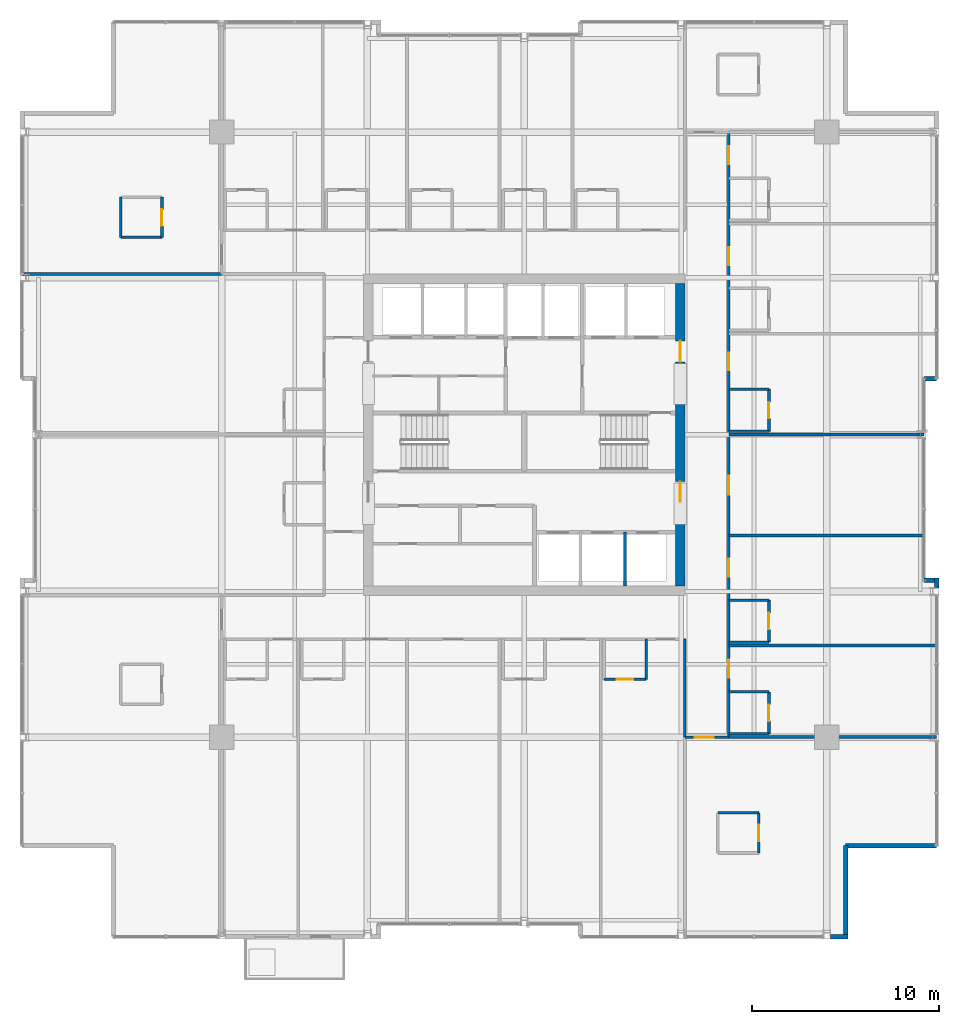
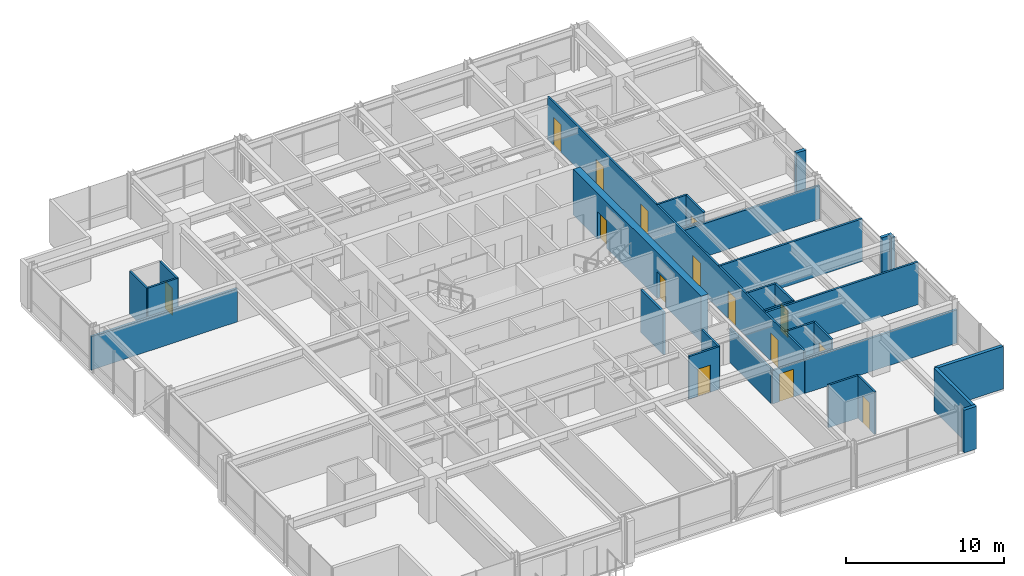
# One storey, part 28 of 33: 32 walls, 15 doors, 15 openings.
"""IFC4 building model written with IfcOpenShell, lengths in metres."""

import ifcopenshell
import ifcopenshell.guid

model = None  # the IFC model being written
_history = None  # IfcOwnerHistory: only IFC2X3 demands one
_inside = {}  # id of a spatial element -> (the spatial element, [elements in it])
_under = {}  # id of a project, library or spatial element -> (it, [spatial elements below it])
_declared = {}  # id of a project -> (the project, [libraries it declares])
_typed = {}  # id of a type object -> (the type object, [elements of that type])
_made_of = {}  # id of a material, layer set ... -> (it, [elements and type objects made of it])


def new_model(schema):
    """Start an empty IFC model of exactly this schema.

    Asked for "IFC4X3", IfcOpenShell would pick the latest addendum, in which some entities
    have other attributes; the version numbers below select the first issue.
    IFC2X3 requires an IfcOwnerHistory on every rooted entity: one is made here for all.
    """
    global model, _history
    if schema == "IFC4X3":
        model = ifcopenshell.file(schema_version=(4, 3, 0, 0))
    else:
        model = ifcopenshell.file(schema=schema)
    _inside.clear()
    _under.clear()
    _declared.clear()
    _typed.clear()
    _made_of.clear()
    _history = None
    if model.schema == "IFC2X3":
        org = make("IfcOrganization", Name="unknown")
        user = make(
            "IfcPersonAndOrganization",
            ThePerson=make("IfcPerson", FamilyName="unknown"),
            TheOrganization=org,
        )
        app = make(
            "IfcApplication",
            ApplicationDeveloper=org,
            Version="unknown",
            ApplicationFullName="unknown",
            ApplicationIdentifier="unknown",
        )
        _history = make(
            "IfcOwnerHistory",
            OwningUser=user,
            OwningApplication=app,
            ChangeAction="ADDED",
            CreationDate=0,
        )
    return model


def make(cls, **values):
    """One entity of the class cls with the attributes given. An attribute that is None is left unset."""
    return model.create_entity(
        cls, **{name: value for name, value in values.items() if value is not None}
    )


def rooted(cls, **values):
    """An entity with a GlobalId (a new one), such as an element, a storey or a relation."""
    return make(cls, GlobalId=ifcopenshell.guid.new(), OwnerHistory=_history, **values)


def si_unit(unit_type, name, prefix=None):
    """IfcSIUnit, for example si_unit("LENGTHUNIT", "METRE", prefix="MILLI")."""
    return make("IfcSIUnit", UnitType=unit_type, Prefix=prefix, Name=name)


def assignment(units):
    """IfcUnitAssignment: the units of a project."""
    return None if units is None else make("IfcUnitAssignment", Units=units)


def point(xyz):
    """IfcCartesianPoint."""
    return None if xyz is None else make("IfcCartesianPoint", Coordinates=xyz)


def direction(xyz):
    """IfcDirection."""
    return None if xyz is None else make("IfcDirection", DirectionRatios=xyz)


def frame(location, z_axis=None, x_axis=None):
    """IfcAxis2Placement3D, a coordinate frame: its origin and axes. An axis left out is left unset."""
    return make(
        "IfcAxis2Placement3D",
        Location=point(location),
        Axis=direction(z_axis),
        RefDirection=direction(x_axis),
    )


def frame_2d(location, x_axis=None):
    """IfcAxis2Placement2D, a coordinate frame in the plane: its origin and x axis."""
    return make(
        "IfcAxis2Placement2D", Location=point(location), RefDirection=direction(x_axis)
    )


def origin():
    """The frame at (0, 0, 0) with its axes left unset."""
    return frame((0.0, 0.0, 0.0))


def place(relative_to, where):
    """IfcLocalPlacement: puts the frame where relative to a parent placement (None: the world)."""
    return make(
        "IfcLocalPlacement", PlacementRelTo=relative_to, RelativePlacement=where
    )


def context(
    kind, dimensions, precision=None, world=None, true_north=None, identifier=None
):
    """IfcGeometricRepresentationContext, for example the 3D "Model" context."""
    return make(
        "IfcGeometricRepresentationContext",
        ContextIdentifier=identifier,
        ContextType=kind,
        CoordinateSpaceDimension=dimensions,
        Precision=precision,
        WorldCoordinateSystem=world,
        TrueNorth=true_north,
    )


def subcontext(parent, identifier, kind, view, scale=None):
    """IfcGeometricRepresentationSubContext, for example "Body" below "Model"."""
    return make(
        "IfcGeometricRepresentationSubContext",
        ContextIdentifier=identifier,
        ContextType=kind,
        ParentContext=parent,
        TargetScale=scale,
        TargetView=view,
    )


def project(units=None, contexts=None):
    """IfcProject with its units and contexts."""
    return rooted(
        "IfcProject",
        Name="project",
        RepresentationContexts=contexts,
        UnitsInContext=assignment(units),
    )


def spatial(cls, under=None, at=None, **own):
    """A site, building, storey or space (cls), placed at a placement, below another one or the project."""
    s = rooted(cls, ObjectPlacement=at, **own)
    if under is not None:
        _under.setdefault(under.id(), (under, []))[1].append(s)
    return s


def profile(cls, at=None, kind="AREA", **sizes):
    """A parametric profile (cls). Its sizes go by their IFC names, for example OverallWidth=200.0."""
    return make(cls, ProfileType=kind, Position=at, **sizes)


def rectangle(**sizes):
    """IfcRectangleProfileDef."""
    return profile("IfcRectangleProfileDef", **sizes)


def extrude(swept, where, along, depth):
    """IfcExtrudedAreaSolid: the profile swept, set in the frame where, extruded along a direction by depth."""
    return make(
        "IfcExtrudedAreaSolid",
        SweptArea=swept,
        Position=where,
        ExtrudedDirection=direction(along),
        Depth=depth,
    )


def shape(context_of_items, identifier, shape_type, items):
    """IfcShapeRepresentation: the items that make up one representation, for example the "Body"."""
    return make(
        "IfcShapeRepresentation",
        ContextOfItems=context_of_items,
        RepresentationIdentifier=identifier,
        RepresentationType=shape_type,
        Items=items,
    )


def material(Name=None, Category=None):
    """IfcMaterial."""
    return make("IfcMaterial", Name=Name, Category=Category)


def layer(
    of_material, thickness, ventilated=None, Name=None, Category=None, Priority=None
):
    """IfcMaterialLayer: one layer of a wall or slab, of a material (None: an air gap)."""
    return make(
        "IfcMaterialLayer",
        Material=of_material,
        LayerThickness=thickness,
        IsVentilated=ventilated,
        Name=Name,
        Category=Category,
        Priority=Priority,
    )


def layer_set(layers, Name=None):
    """IfcMaterialLayerSet."""
    return make("IfcMaterialLayerSet", MaterialLayers=layers, LayerSetName=Name)


def made_of(thing, what):
    """Note that an element or type object is made of a material, layer set ...; save() writes the relation."""
    if what is not None:
        _made_of.setdefault(what.id(), (what, []))[1].append(thing)
    return thing


def type_object(cls, material=None, **own):
    """A type object (cls), such as IfcWallType, which elements share."""
    return made_of(rooted(cls, **own), material)


def element(
    cls,
    number,
    at=None,
    inside=None,
    cuts=None,
    type_object=None,
    material=None,
    context=None,
    identifier="Body",
    shape_type=None,
    held_by="IfcProductDefinitionShape",
    body=None,
    shapes=None,
    **own,
):
    """One element of the class cls, such as IfcWall. Its Tag is "e" and its number.

    at: its placement. inside: the storey or other place that contains it. cuts: it is an
    opening in that element (IfcRelVoidsElement). A single representation is given by context,
    identifier, shape_type and body (its items); several are given by shapes. held_by: the class
    of the entity that holds the representations. save() writes the other relations.
    """
    e = rooted(cls, Tag="e%d" % number, ObjectPlacement=at, **own)
    if body is not None:
        shapes = [shape(context, identifier, shape_type, body)]
    if shapes is not None:
        e.Representation = make(held_by, Representations=shapes)
    if inside is not None:
        _inside.setdefault(inside.id(), (inside, []))[1].append(e)
    if cuts is not None:
        rooted(
            "IfcRelVoidsElement", RelatingBuildingElement=cuts, RelatedOpeningElement=e
        )
    if type_object is not None:
        _typed.setdefault(type_object.id(), (type_object, []))[1].append(e)
    return made_of(e, material)


def fill(opening, filler):
    """IfcRelFillsElement: the door or window that sits in an opening."""
    return rooted(
        "IfcRelFillsElement",
        RelatingOpeningElement=opening,
        RelatedBuildingElement=filler,
    )


def aggregate(whole, parts):
    """IfcRelAggregates: a whole, such as a stair, and the parts it consists of."""
    return rooted("IfcRelAggregates", RelatingObject=whole, RelatedObjects=parts)


def save(model, path):
    """Write the relations noted so far, then the file.

    IfcRelAggregates (storeys below a building ...), IfcRelContainedInSpatialStructure (elements
    in a storey), IfcRelDefinesByType, IfcRelAssociatesMaterial and IfcRelDeclares: one each for
    every whole, place, type object, material and project.
    """
    for whole, parts in _under.values():
        aggregate(whole, parts)
    for where, things in _inside.values():
        rooted(
            "IfcRelContainedInSpatialStructure",
            RelatedElements=things,
            RelatingStructure=where,
        )
    for kind, things in _typed.values():
        rooted("IfcRelDefinesByType", RelatedObjects=things, RelatingType=kind)
    for what, things in _made_of.values():
        rooted("IfcRelAssociatesMaterial", RelatedObjects=things, RelatingMaterial=what)
    for by, libraries in _declared.values():
        rooted("IfcRelDeclares", RelatingContext=by, RelatedDefinitions=libraries)
    model.write(path)


model = new_model("IFC4")

# Units and contexts
model_context = context("Model", 3, precision=1e-05, world=origin(), true_north=direction((0.0, 1.0)))
body_context = subcontext(model_context, "Body", "Model", "MODEL_VIEW")
ifc_project = project(units=[si_unit("LENGTHUNIT", "METRE"), si_unit("AREAUNIT", "SQUARE_METRE"), si_unit("VOLUMEUNIT", "CUBIC_METRE"), si_unit("PLANEANGLEUNIT", "RADIAN"), si_unit("MASSUNIT", "GRAM", prefix="KILO")], contexts=[model_context])

# Site, building, storey
site_placement = place(None, origin())
site = spatial("IfcSite", under=ifc_project, at=site_placement, CompositionType="ELEMENT")
building_placement = place(site_placement, origin())
building = spatial("IfcBuilding", under=site, at=building_placement, Name="Drelvath Grand Hotel", CompositionType="ELEMENT")
storey_placement = place(building_placement, frame((0.0, 0.0, 153.949951171875)))
storey = spatial("IfcBuildingStorey", under=building, at=storey_placement, Name="L39", CompositionType="ELEMENT", Elevation=153.949951171875)

# Walls
ifc_material_1 = material(Name="Gypsum Fireboard Partition")
ifc_layer_1 = layer(ifc_material_1, 0.1650390625)
ifc_layer_set_1 = layer_set([ifc_layer_1], Name="Gypsum Fireboard Partition")
wall_type_1 = type_object("IfcWallType", Name="Core Shaft Partition 165", PredefinedType="PARTITIONING", material=ifc_layer_set_1)
wall_1_placement = place(storey_placement, frame((5.39990234375, 18.89990234375, 0.0), z_axis=(0.0, 0.0, 1.0), x_axis=(0.0, 1.0, 0.0)))
element("IfcWall", 1, at=wall_1_placement, inside=storey, type_object=wall_type_1, Name="L39 Lift PE-5/6 Divider", PredefinedType="PARTITIONING", context=body_context, shape_type="SweptSolid", body=[
    extrude(rectangle(XDim=2.880126953125, YDim=0.1650390625, at=frame_2d((1.43994140625, 0.0))), origin(), (0.0, 0.0, 1.0), 3.2900390625),
])
ifc_layer_2 = layer(ifc_material_1, 0.135009765625)
ifc_layer_set_2 = layer_set([ifc_layer_2], Name="Gypsum Fireboard Partition")
wall_type_2 = type_object("IfcWallType", Name="Corridor Fire Barrier Wall 135", PredefinedType="PARTITIONING", material=ifc_layer_set_2)
wall_2_placement = place(storey_placement, frame((8.60009765625, 10.800048828125, 0.0), z_axis=(0.0, 0.0, 1.0), x_axis=(0.0, 1.0, 0.0)))
element("IfcWall", 2, at=wall_2_placement, inside=storey, type_object=wall_type_2, Name="L39 East Spine South Inner Wall", PredefinedType="PARTITIONING", context=body_context, shape_type="SweptSolid", body=[
    extrude(rectangle(XDim=5.25, YDim=0.135009765625, at=frame_2d((2.625, 0.0))), origin(), (0.0, 0.0, 1.0), 2.66748046875),
])

# Wall, openings, doors
wall_3_placement = place(storey_placement, frame((10.949951171875, 10.800048828125, 0.0), z_axis=(0.0, 0.0, 1.0), x_axis=(0.0, 1.0, 0.0)))
wall_3 = element("IfcWall", 3, at=wall_3_placement, inside=storey, type_object=wall_type_2, Name="L39 East Spine Corridor Wall", PredefinedType="PARTITIONING", context=body_context, shape_type="SweptSolid", body=[
    extrude(rectangle(XDim=32.39990234375, YDim=0.135009765625, at=frame_2d((16.199951171875, 0.0))), origin(), (0.0, 0.0, 1.0), 3.2900390625),
])
opening_1_placement = place(wall_3_placement, frame((3.189453125, 0.0, 0.0)))
opening_1 = element("IfcOpeningElement", 4, at=opening_1_placement, cuts=wall_3, Name="Opening D-T3G1-054", PredefinedType="OPENING", context=body_context, shape_type="SweptSolid", body=[
    extrude(rectangle(XDim=0.9599609375, YDim=2.14990234375, at=frame_2d((0.47998046875, 1.074951171875))), frame((0.0, 0.077392578125, 0.0), z_axis=(0.0, -1.0, 0.0), x_axis=(1.0, 0.0, 0.0)), (0.0, 0.0, 1.0), 0.155029296875),
])
opening_2_placement = place(wall_3_placement, frame((8.589599609375, 0.0, 0.0)))
opening_2 = element("IfcOpeningElement", 5, at=opening_2_placement, cuts=wall_3, Name="Opening D-T3G1-056", PredefinedType="OPENING", context=body_context, shape_type="SweptSolid", body=[
    extrude(rectangle(XDim=0.9599609375, YDim=2.14990234375, at=frame_2d((0.47998046875, 1.074951171875))), frame((0.0, 0.077392578125, 0.0), z_axis=(0.0, -1.0, 0.0), x_axis=(1.0, 0.0, 0.0)), (0.0, 0.0, 1.0), 0.155029296875),
])
opening_3_placement = place(wall_3_placement, frame((12.989990234375, 0.0, 0.0)))
opening_3 = element("IfcOpeningElement", 6, at=opening_3_placement, cuts=wall_3, Name="Opening D-T3G1-057", PredefinedType="OPENING", context=body_context, shape_type="SweptSolid", body=[
    extrude(rectangle(XDim=1.02001953125, YDim=2.14990234375, at=frame_2d((0.510009765625, 1.074951171875))), frame((0.0, 0.077392578125, 0.0), z_axis=(0.0, -1.0, 0.0), x_axis=(1.0, 0.0, 0.0)), (0.0, 0.0, 1.0), 0.155029296875),
])
opening_4_placement = place(wall_3_placement, frame((19.635009765625, 0.0, 0.0)))
opening_4 = element("IfcOpeningElement", 7, at=opening_4_placement, cuts=wall_3, Name="Opening D-T3G1-059", PredefinedType="OPENING", context=body_context, shape_type="SweptSolid", body=[
    extrude(rectangle(XDim=0.9599609375, YDim=2.14990234375, at=frame_2d((0.47998046875, 1.074951171875))), frame((0.0, 0.077392578125, 0.0), z_axis=(0.0, -1.0, 0.0), x_axis=(1.0, 0.0, 0.0)), (0.0, 0.0, 1.0), 0.155029296875),
])
opening_5_placement = place(wall_3_placement, frame((25.280517578125, 0.0, 0.0)))
opening_5 = element("IfcOpeningElement", 8, at=opening_5_placement, cuts=wall_3, Name="Opening D-T3G1-061", PredefinedType="OPENING", context=body_context, shape_type="SweptSolid", body=[
    extrude(rectangle(XDim=0.9599609375, YDim=2.14990234375, at=frame_2d((0.47998046875, 1.074951171875))), frame((0.0, 0.077392578125, 0.0), z_axis=(0.0, -1.0, 0.0), x_axis=(1.0, 0.0, 0.0)), (0.0, 0.0, 1.0), 0.155029296875),
])
opening_6_placement = place(wall_3_placement, frame((30.680419921875, 0.0, 0.0)))
opening_6 = element("IfcOpeningElement", 9, at=opening_6_placement, cuts=wall_3, Name="Opening D-T3G1-063", PredefinedType="OPENING", context=body_context, shape_type="SweptSolid", body=[
    extrude(rectangle(XDim=0.9599609375, YDim=2.14990234375, at=frame_2d((0.47998046875, 1.074951171875))), frame((0.0, 0.077392578125, 0.0), z_axis=(0.0, -1.0, 0.0), x_axis=(1.0, 0.0, 0.0)), (0.0, 0.0, 1.0), 0.155029296875),
])
ifc_material_2 = material(Name="Hardwood Walnut Timber", Category="wood")
door_type_1 = type_object("IfcDoorType", Name="Amenity Meeting Fire Door 1020x2150", OperationType="NOTDEFINED", PredefinedType="DOOR", material=ifc_material_2)
door_1_placement = place(opening_3_placement, origin())
door_1 = element("IfcDoor", 10, at=door_1_placement, inside=storey, type_object=door_type_1, Name="L39 Spa Treatment Room Entry Door", OperationType="SINGLE_SWING_LEFT", OverallHeight=2.14990234375, OverallWidth=1.02001953125, PredefinedType="DOOR", context=body_context, shape_type="SweptSolid", body=[
    extrude(rectangle(XDim=1.02001953125, YDim=2.14990234375, at=frame_2d((0.510009765625, 1.074951171875))), frame((0.0, 0.02490234375, 0.0), z_axis=(0.0, -1.0, 0.0), x_axis=(1.0, 0.0, 0.0)), (0.0, 0.0, 1.0), 0.050048828125),
])
fill(opening_3, door_1)
door_type_2 = type_object("IfcDoorType", Name="Guestroom Entrance Fire Door 960x2150", OperationType="NOTDEFINED", PredefinedType="DOOR", material=ifc_material_2)
door_2_placement = place(opening_1_placement, origin())
door_2 = element("IfcDoor", 11, at=door_2_placement, inside=storey, type_object=door_type_2, Name="L39 King Guest Room Entry Door", OperationType="SINGLE_SWING_RIGHT", OverallHeight=2.14990234375, OverallWidth=0.9599609375, PredefinedType="DOOR", context=body_context, shape_type="SweptSolid", body=[
    extrude(rectangle(XDim=0.9599609375, YDim=2.14990234375, at=frame_2d((0.47998046875, 1.074951171875))), frame((0.0, 0.02490234375, 0.0), z_axis=(0.0, -1.0, 0.0), x_axis=(1.0, 0.0, 0.0)), (0.0, 0.0, 1.0), 0.050048828125),
])
fill(opening_1, door_2)
door_3_placement = place(opening_2_placement, origin())
door_3 = element("IfcDoor", 12, at=door_3_placement, inside=storey, type_object=door_type_2, Name="L39 King Guest Room Entry Door", OperationType="SINGLE_SWING_RIGHT", OverallHeight=2.14990234375, OverallWidth=0.9599609375, PredefinedType="DOOR", context=body_context, shape_type="SweptSolid", body=[
    extrude(rectangle(XDim=0.9599609375, YDim=2.14990234375, at=frame_2d((0.47998046875, 1.074951171875))), frame((0.0, 0.02490234375, 0.0), z_axis=(0.0, -1.0, 0.0), x_axis=(1.0, 0.0, 0.0)), (0.0, 0.0, 1.0), 0.050048828125),
])
fill(opening_2, door_3)
door_4_placement = place(opening_4_placement, origin())
door_4 = element("IfcDoor", 13, at=door_4_placement, inside=storey, type_object=door_type_2, Name="L39 King Guest Room Entry Door", OperationType="SINGLE_SWING_LEFT", OverallHeight=2.14990234375, OverallWidth=0.9599609375, PredefinedType="DOOR", context=body_context, shape_type="SweptSolid", body=[
    extrude(rectangle(XDim=0.9599609375, YDim=2.14990234375, at=frame_2d((0.47998046875, 1.074951171875))), frame((0.0, 0.02490234375, 0.0), z_axis=(0.0, -1.0, 0.0), x_axis=(1.0, 0.0, 0.0)), (0.0, 0.0, 1.0), 0.050048828125),
])
fill(opening_4, door_4)
door_5_placement = place(opening_5_placement, origin())
door_5 = element("IfcDoor", 14, at=door_5_placement, inside=storey, type_object=door_type_2, Name="L39 King Guest Room Entry Door", OperationType="SINGLE_SWING_LEFT", OverallHeight=2.14990234375, OverallWidth=0.9599609375, PredefinedType="DOOR", context=body_context, shape_type="SweptSolid", body=[
    extrude(rectangle(XDim=0.9599609375, YDim=2.14990234375, at=frame_2d((0.47998046875, 1.074951171875))), frame((0.0, 0.02490234375, 0.0), z_axis=(0.0, -1.0, 0.0), x_axis=(1.0, 0.0, 0.0)), (0.0, 0.0, 1.0), 0.050048828125),
])
fill(opening_5, door_5)
door_6_placement = place(opening_6_placement, origin())
door_6 = element("IfcDoor", 15, at=door_6_placement, inside=storey, type_object=door_type_2, Name="L39 King Guest Room Entry Door", OperationType="SINGLE_SWING_LEFT", OverallHeight=2.14990234375, OverallWidth=0.9599609375, PredefinedType="DOOR", context=body_context, shape_type="SweptSolid", body=[
    extrude(rectangle(XDim=0.9599609375, YDim=2.14990234375, at=frame_2d((0.47998046875, 1.074951171875))), frame((0.0, 0.02490234375, 0.0), z_axis=(0.0, -1.0, 0.0), x_axis=(1.0, 0.0, 0.0)), (0.0, 0.0, 1.0), 0.050048828125),
])
fill(opening_6, door_6)

# Wall, opening, door
wall_4_placement = place(storey_placement, frame((8.60009765625, 10.800048828125, 0.0), z_axis=(0.0, 0.0, 1.0), x_axis=(1.0, 0.0, 0.0)))
wall_4 = element("IfcWall", 16, at=wall_4_placement, inside=storey, type_object=wall_type_2, Name="L39 East Spine South End", PredefinedType="PARTITIONING", context=body_context, shape_type="SweptSolid", body=[
    extrude(rectangle(XDim=2.349853515625, YDim=0.135009765625, at=frame_2d((1.1748046875, 0.0))), origin(), (0.0, 0.0, 1.0), 2.57958984375),
])
opening_7_placement = place(wall_4_placement, frame((0.52001953125, 0.0, 0.0)))
opening_7 = element("IfcOpeningElement", 17, at=opening_7_placement, cuts=wall_4, Name="Opening D-T3G1-031", PredefinedType="OPENING", context=body_context, shape_type="SweptSolid", body=[
    extrude(rectangle(XDim=1.02001953125, YDim=2.14990234375, at=frame_2d((0.510009765625, 1.074951171875))), frame((0.0, 0.077392578125, 0.0), z_axis=(0.0, -1.0, 0.0), x_axis=(1.0, 0.0, 0.0)), (0.0, 0.0, 1.0), 0.155029296875),
])
door_7_placement = place(opening_7_placement, origin())
door_7 = element("IfcDoor", 18, at=door_7_placement, inside=storey, type_object=door_type_1, Name="L39 Executive Suite Entry Door", OperationType="SINGLE_SWING_LEFT", OverallHeight=2.14990234375, OverallWidth=1.02001953125, PredefinedType="DOOR", context=body_context, shape_type="SweptSolid", body=[
    extrude(rectangle(XDim=1.02001953125, YDim=2.14990234375, at=frame_2d((0.510009765625, 1.074951171875))), frame((0.0, 0.02490234375, 0.0), z_axis=(0.0, -1.0, 0.0), x_axis=(1.0, 0.0, 0.0)), (0.0, 0.0, 1.0), 0.050048828125),
])
fill(opening_7, door_7)

# Walls
ifc_material_3 = material(Name="Moisture-Resistant Gypsum Board")
ifc_layer_3 = layer(ifc_material_3, 0.139892578125)
ifc_layer_set_3 = layer_set([ifc_layer_3], Name="Moisture-Resistant Gypsum Board")
wall_type_3 = type_object("IfcWallType", Name="En-Suite Plumbing Wall 140", PredefinedType="PLUMBINGWALL", material=ifc_layer_set_3)
wall_5_placement = place(storey_placement, frame((-21.60009765625, 37.56005859375, 0.0), z_axis=(0.0, 0.0, 1.0), x_axis=(1.0, 0.0, 0.0)))
element("IfcWall", 19, at=wall_5_placement, inside=storey, type_object=wall_type_3, Name="L39 Corner En-Suite South", PredefinedType="PLUMBINGWALL", context=body_context, shape_type="SweptSolid", body=[
    extrude(rectangle(XDim=2.2001953125, YDim=0.139892578125, at=frame_2d((1.10009765625, 0.0))), origin(), (0.0, 0.0, 1.0), 3.2900390625),
])
wall_6_placement = place(storey_placement, frame((-21.60009765625, 37.56005859375, 0.0), z_axis=(0.0, 0.0, 1.0), x_axis=(0.0, 1.0, 0.0)))
element("IfcWall", 20, at=wall_6_placement, inside=storey, type_object=wall_type_3, Name="L39 Corner En-Suite West", PredefinedType="PLUMBINGWALL", context=body_context, shape_type="SweptSolid", body=[
    extrude(rectangle(XDim=2.14990234375, YDim=0.139892578125, at=frame_2d((1.074951171875, 0.0))), origin(), (0.0, 0.0, 1.0), 3.2900390625),
])

# Wall, opening, door
wall_7_placement = place(storey_placement, frame((-19.39990234375, 37.56005859375, 0.0), z_axis=(0.0, 0.0, 1.0), x_axis=(0.0, 1.0, 0.0)))
wall_7 = element("IfcWall", 21, at=wall_7_placement, inside=storey, type_object=wall_type_3, Name="L39 Corner En-Suite East", PredefinedType="PLUMBINGWALL", context=body_context, shape_type="SweptSolid", body=[
    extrude(rectangle(XDim=2.14990234375, YDim=0.139892578125, at=frame_2d((1.074951171875, 0.0))), origin(), (0.0, 0.0, 1.0), 3.2900390625),
])
opening_8_placement = place(wall_7_placement, frame((0.6201171875, 0.0, 0.0)))
opening_8 = element("IfcOpeningElement", 22, at=opening_8_placement, cuts=wall_7, Name="Opening D-T3G1-028", PredefinedType="OPENING", context=body_context, shape_type="SweptSolid", body=[
    extrude(rectangle(XDim=0.8798828125, YDim=2.10009765625, at=frame_2d((0.43994140625, 1.050048828125))), frame((0.0, 0.079833984375, 0.0), z_axis=(0.0, -1.0, 0.0), x_axis=(1.0, 0.0, 0.0)), (0.0, 0.0, 1.0), 0.159912109375),
])
door_type_3 = type_object("IfcDoorType", Name="En-Suite Bathroom Door 880x2100", OperationType="NOTDEFINED", PredefinedType="DOOR", material=ifc_material_2)
door_8_placement = place(opening_8_placement, origin())
door_8 = element("IfcDoor", 23, at=door_8_placement, inside=storey, type_object=door_type_3, Name="L39 Corner En-Suite Door", OperationType="SINGLE_SWING_RIGHT", OverallHeight=2.10009765625, OverallWidth=0.8798828125, PredefinedType="DOOR", context=body_context, shape_type="SweptSolid", body=[
    extrude(rectangle(XDim=0.8798828125, YDim=2.10009765625, at=frame_2d((0.43994140625, 1.050048828125))), frame((0.0, 0.02490234375, 0.0), z_axis=(0.0, -1.0, 0.0), x_axis=(1.0, 0.0, 0.0)), (0.0, 0.0, 1.0), 0.050048828125),
])
fill(opening_8, door_8)

# Wall
wall_8_placement = place(storey_placement, frame((10.360107421875, 6.75, 0.0), z_axis=(0.0, 0.0, 1.0), x_axis=(1.0, 0.0, 0.0)))
element("IfcWall", 24, at=wall_8_placement, inside=storey, type_object=wall_type_3, Name="L39 Corner En-Suite North", PredefinedType="PLUMBINGWALL", context=body_context, shape_type="SweptSolid", body=[
    extrude(rectangle(XDim=2.199951171875, YDim=0.139892578125, at=frame_2d((1.10009765625, 0.0))), origin(), (0.0, 0.0, 1.0), 3.2900390625),
])

# Wall, opening, door
wall_9_placement = place(storey_placement, frame((12.56005859375, 4.60009765625, 0.0), z_axis=(0.0, 0.0, 1.0), x_axis=(0.0, 1.0, 0.0)))
wall_9 = element("IfcWall", 25, at=wall_9_placement, inside=storey, type_object=wall_type_3, Name="L39 Corner En-Suite East", PredefinedType="PLUMBINGWALL", context=body_context, shape_type="SweptSolid", body=[
    extrude(rectangle(XDim=2.14990234375, YDim=0.139892578125, at=frame_2d((1.074951171875, 0.0))), origin(), (0.0, 0.0, 1.0), 3.2900390625),
])
opening_9_placement = place(wall_9_placement, frame((0.6201171875, 0.0, 0.0)))
opening_9 = element("IfcOpeningElement", 26, at=opening_9_placement, cuts=wall_9, Name="Opening D-T3G1-030", PredefinedType="OPENING", context=body_context, shape_type="SweptSolid", body=[
    extrude(rectangle(XDim=0.8798828125, YDim=2.10009765625, at=frame_2d((0.43994140625, 1.050048828125))), frame((0.0, 0.079833984375, 0.0), z_axis=(0.0, -1.0, 0.0), x_axis=(1.0, 0.0, 0.0)), (0.0, 0.0, 1.0), 0.159912109375),
])
door_9_placement = place(opening_9_placement, origin())
door_9 = element("IfcDoor", 27, at=door_9_placement, inside=storey, type_object=door_type_3, Name="L39 Corner En-Suite Door", OperationType="SINGLE_SWING_RIGHT", OverallHeight=2.10009765625, OverallWidth=0.8798828125, PredefinedType="DOOR", context=body_context, shape_type="SweptSolid", body=[
    extrude(rectangle(XDim=0.8798828125, YDim=2.10009765625, at=frame_2d((0.43994140625, 1.050048828125))), frame((0.0, 0.02490234375, 0.0), z_axis=(0.0, -1.0, 0.0), x_axis=(1.0, 0.0, 0.0)), (0.0, 0.0, 1.0), 0.050048828125),
])
fill(opening_9, door_9)

# Wall
wall_10_placement = place(storey_placement, frame((6.52099609375, 16.050048828125, 0.0), z_axis=(0.0, 0.0, 1.0), x_axis=(0.0, -1.0, 0.0)))
element("IfcWall", 28, at=wall_10_placement, inside=storey, type_object=wall_type_3, Name="L39 En-Suite Right Wall", PredefinedType="PLUMBINGWALL", context=body_context, shape_type="SweptSolid", body=[
    extrude(rectangle(XDim=2.150146484375, YDim=0.139892578125, at=frame_2d((1.0751953125, 0.0))), origin(), (0.0, 0.0, 1.0), 3.2900390625),
])

# Wall, opening, door
wall_11_placement = place(storey_placement, frame((4.27099609375, 13.89990234375, 0.0), z_axis=(0.0, 0.0, 1.0), x_axis=(1.0, 0.0, 0.0)))
wall_11 = element("IfcWall", 29, at=wall_11_placement, inside=storey, type_object=wall_type_3, Name="L39 En-Suite Front Wall", PredefinedType="PLUMBINGWALL", context=body_context, shape_type="SweptSolid", body=[
    extrude(rectangle(XDim=2.25, YDim=0.139892578125, at=frame_2d((1.125, 0.0))), origin(), (0.0, 0.0, 1.0), 3.2900390625),
])
opening_10_placement = place(wall_11_placement, frame((0.68505859375, 0.0, 0.0)))
opening_10 = element("IfcOpeningElement", 30, at=opening_10_placement, cuts=wall_11, Name="Opening D-T3G1-041", PredefinedType="OPENING", context=body_context, shape_type="SweptSolid", body=[
    extrude(rectangle(XDim=0.8798828125, YDim=2.10009765625, at=frame_2d((0.43994140625, 1.050048828125))), frame((0.0, 0.079833984375, 0.0), z_axis=(0.0, -1.0, 0.0), x_axis=(1.0, 0.0, 0.0)), (0.0, 0.0, 1.0), 0.159912109375),
])
door_10_placement = place(opening_10_placement, origin())
door_10 = element("IfcDoor", 31, at=door_10_placement, inside=storey, type_object=door_type_3, Name="L39 En-Suite Bathroom Door", OperationType="SINGLE_SWING_LEFT", OverallHeight=2.10009765625, OverallWidth=0.8798828125, PredefinedType="DOOR", context=body_context, shape_type="SweptSolid", body=[
    extrude(rectangle(XDim=0.8798828125, YDim=2.10009765625, at=frame_2d((0.43994140625, 1.050048828125))), frame((0.0, 0.02490234375, 0.0), z_axis=(0.0, -1.0, 0.0), x_axis=(1.0, 0.0, 0.0)), (0.0, 0.0, 1.0), 0.050048828125),
])
fill(opening_10, door_10)

# Walls
wall_12_placement = place(storey_placement, frame((10.949951171875, 10.97998046875, 0.0), z_axis=(0.0, 0.0, 1.0), x_axis=(1.0, 0.0, 0.0)))
element("IfcWall", 32, at=wall_12_placement, inside=storey, type_object=wall_type_3, Name="L39 En-Suite Left Wall", PredefinedType="PLUMBINGWALL", context=body_context, shape_type="SweptSolid", body=[
    extrude(rectangle(XDim=2.150146484375, YDim=0.139892578125, at=frame_2d((1.0751953125, 0.0))), origin(), (0.0, 0.0, 1.0), 2.57958984375),
])
wall_13_placement = place(storey_placement, frame((10.949951171875, 13.22998046875, 0.0), z_axis=(0.0, 0.0, 1.0), x_axis=(1.0, 0.0, 0.0)))
element("IfcWall", 33, at=wall_13_placement, inside=storey, type_object=wall_type_3, Name="L39 En-Suite Right Wall", PredefinedType="PLUMBINGWALL", context=body_context, shape_type="SweptSolid", body=[
    extrude(rectangle(XDim=2.150146484375, YDim=0.139892578125, at=frame_2d((1.0751953125, 0.0))), origin(), (0.0, 0.0, 1.0), 3.2900390625),
])

# Wall, opening, door
wall_14_placement = place(storey_placement, frame((13.10009765625, 10.97998046875, 0.0), z_axis=(0.0, 0.0, 1.0), x_axis=(0.0, 1.0, 0.0)))
wall_14 = element("IfcWall", 34, at=wall_14_placement, inside=storey, type_object=wall_type_3, Name="L39 En-Suite Front Wall", PredefinedType="PLUMBINGWALL", context=body_context, shape_type="SweptSolid", body=[
    extrude(rectangle(XDim=2.25, YDim=0.139892578125, at=frame_2d((1.125, 0.0))), origin(), (0.0, 0.0, 1.0), 3.2900390625),
])
opening_11_placement = place(wall_14_placement, frame((0.68505859375, 0.0, 0.0)))
opening_11 = element("IfcOpeningElement", 35, at=opening_11_placement, cuts=wall_14, Name="Opening D-T3G1-053", PredefinedType="OPENING", context=body_context, shape_type="SweptSolid", body=[
    extrude(rectangle(XDim=0.8798828125, YDim=2.10009765625, at=frame_2d((0.43994140625, 1.050048828125))), frame((0.0, 0.079833984375, 0.0), z_axis=(0.0, -1.0, 0.0), x_axis=(1.0, 0.0, 0.0)), (0.0, 0.0, 1.0), 0.159912109375),
])
door_11_placement = place(opening_11_placement, origin())
door_11 = element("IfcDoor", 36, at=door_11_placement, inside=storey, type_object=door_type_3, Name="L39 En-Suite Bathroom Door", OperationType="SINGLE_SWING_LEFT", OverallHeight=2.10009765625, OverallWidth=0.8798828125, PredefinedType="DOOR", context=body_context, shape_type="SweptSolid", body=[
    extrude(rectangle(XDim=0.8798828125, YDim=2.10009765625, at=frame_2d((0.43994140625, 1.050048828125))), frame((0.0, 0.02490234375, 0.0), z_axis=(0.0, -1.0, 0.0), x_axis=(1.0, 0.0, 0.0)), (0.0, 0.0, 1.0), 0.050048828125),
])
fill(opening_11, door_11)

# Walls
for number, where, z_axis, x_axis, name in (
    (37, (10.949951171875, 15.88916015625, 0.0), (0.0, 0.0, 1.0), (1.0, 0.0, 0.0), "L39 En-Suite Left Wall"),
    (38, (10.949951171875, 18.13916015625, 0.0), (0.0, 0.0, 1.0), (1.0, 0.0, 0.0), "L39 En-Suite Right Wall"),
):
    element("IfcWall", number, at=place(storey_placement, frame(where, z_axis=z_axis, x_axis=x_axis)), inside=storey, type_object=wall_type_3, Name=name, PredefinedType="PLUMBINGWALL", context=body_context, shape_type="SweptSolid", body=[
        extrude(rectangle(XDim=2.150146484375, YDim=0.139892578125, at=frame_2d((1.0751953125, 0.0))), origin(), (0.0, 0.0, 1.0), 3.2900390625),
    ])

# Wall, opening, door
wall_15_placement = place(storey_placement, frame((13.10009765625, 15.88916015625, 0.0), z_axis=(0.0, 0.0, 1.0), x_axis=(0.0, 1.0, 0.0)))
wall_15 = element("IfcWall", 39, at=wall_15_placement, inside=storey, type_object=wall_type_3, Name="L39 En-Suite Front Wall", PredefinedType="PLUMBINGWALL", context=body_context, shape_type="SweptSolid", body=[
    extrude(rectangle(XDim=2.25, YDim=0.139892578125, at=frame_2d((1.125, 0.0))), origin(), (0.0, 0.0, 1.0), 3.2900390625),
])
opening_12_placement = place(wall_15_placement, frame((0.68505859375, 0.0, 0.0)))
opening_12 = element("IfcOpeningElement", 40, at=opening_12_placement, cuts=wall_15, Name="Opening D-T3G1-055", PredefinedType="OPENING", context=body_context, shape_type="SweptSolid", body=[
    extrude(rectangle(XDim=0.8798828125, YDim=2.10009765625, at=frame_2d((0.43994140625, 1.050048828125))), frame((0.0, 0.079833984375, 0.0), z_axis=(0.0, -1.0, 0.0), x_axis=(1.0, 0.0, 0.0)), (0.0, 0.0, 1.0), 0.159912109375),
])
door_12_placement = place(opening_12_placement, origin())
door_12 = element("IfcDoor", 41, at=door_12_placement, inside=storey, type_object=door_type_3, Name="L39 En-Suite Bathroom Door", OperationType="SINGLE_SWING_LEFT", OverallHeight=2.10009765625, OverallWidth=0.8798828125, PredefinedType="DOOR", context=body_context, shape_type="SweptSolid", body=[
    extrude(rectangle(XDim=0.8798828125, YDim=2.10009765625, at=frame_2d((0.43994140625, 1.050048828125))), frame((0.0, 0.02490234375, 0.0), z_axis=(0.0, -1.0, 0.0), x_axis=(1.0, 0.0, 0.0)), (0.0, 0.0, 1.0), 0.050048828125),
])
fill(opening_12, door_12)

# Walls
wall_16_placement = place(storey_placement, frame((10.949951171875, 27.179931640625, 0.0), z_axis=(0.0, 0.0, 1.0), x_axis=(1.0, 0.0, 0.0)))
element("IfcWall", 42, at=wall_16_placement, inside=storey, type_object=wall_type_3, Name="L39 En-Suite Left Wall", PredefinedType="PLUMBINGWALL", context=body_context, shape_type="SweptSolid", body=[
    extrude(rectangle(XDim=2.150146484375, YDim=0.139892578125, at=frame_2d((1.0751953125, 0.0))), origin(), (0.0, 0.0, 1.0), 2.66748046875),
])
wall_17_placement = place(storey_placement, frame((10.949951171875, 29.429931640625, 0.0), z_axis=(0.0, 0.0, 1.0), x_axis=(1.0, 0.0, 0.0)))
element("IfcWall", 43, at=wall_17_placement, inside=storey, type_object=wall_type_3, Name="L39 En-Suite Right Wall", PredefinedType="PLUMBINGWALL", context=body_context, shape_type="SweptSolid", body=[
    extrude(rectangle(XDim=2.150146484375, YDim=0.139892578125, at=frame_2d((1.0751953125, 0.0))), origin(), (0.0, 0.0, 1.0), 3.2900390625),
])

# Wall, opening, door
wall_18_placement = place(storey_placement, frame((13.10009765625, 27.179931640625, 0.0), z_axis=(0.0, 0.0, 1.0), x_axis=(0.0, 1.0, 0.0)))
wall_18 = element("IfcWall", 44, at=wall_18_placement, inside=storey, type_object=wall_type_3, Name="L39 En-Suite Front Wall", PredefinedType="PLUMBINGWALL", context=body_context, shape_type="SweptSolid", body=[
    extrude(rectangle(XDim=2.25, YDim=0.139892578125, at=frame_2d((1.125, 0.0))), origin(), (0.0, 0.0, 1.0), 3.2900390625),
])
opening_13_placement = place(wall_18_placement, frame((0.68505859375, 0.0, 0.0)))
opening_13 = element("IfcOpeningElement", 45, at=opening_13_placement, cuts=wall_18, Name="Opening D-T3G1-058", PredefinedType="OPENING", context=body_context, shape_type="SweptSolid", body=[
    extrude(rectangle(XDim=0.8798828125, YDim=2.10009765625, at=frame_2d((0.43994140625, 1.050048828125))), frame((0.0, 0.079833984375, 0.0), z_axis=(0.0, -1.0, 0.0), x_axis=(1.0, 0.0, 0.0)), (0.0, 0.0, 1.0), 0.159912109375),
])
door_13_placement = place(opening_13_placement, origin())
door_13 = element("IfcDoor", 46, at=door_13_placement, inside=storey, type_object=door_type_3, Name="L39 En-Suite Bathroom Door", OperationType="SINGLE_SWING_RIGHT", OverallHeight=2.10009765625, OverallWidth=0.8798828125, PredefinedType="DOOR", context=body_context, shape_type="SweptSolid", body=[
    extrude(rectangle(XDim=0.8798828125, YDim=2.10009765625, at=frame_2d((0.43994140625, 1.050048828125))), frame((0.0, 0.02490234375, 0.0), z_axis=(0.0, -1.0, 0.0), x_axis=(1.0, 0.0, 0.0)), (0.0, 0.0, 1.0), 0.050048828125),
])
fill(opening_13, door_13)

# Walls
ifc_material_4 = material(Name="Gypsum Acoustic Partition")
ifc_layer_4 = layer(ifc_material_4, 0.14990234375)
ifc_layer_set_4 = layer_set([ifc_layer_4], Name="Gypsum Acoustic Partition")
wall_type_4 = type_object("IfcWallType", Name="Guestroom Demising Wall 150", PredefinedType="PARTITIONING", material=ifc_layer_set_4)
wall_19_placement = place(storey_placement, frame((10.949951171875, 15.708984375, 0.0), z_axis=(0.0, 0.0, 1.0), x_axis=(1.0, 0.0, 0.0)))
element("IfcWall", 47, at=wall_19_placement, inside=storey, type_object=wall_type_4, Name="L39 East Demising 1", PredefinedType="PARTITIONING", context=body_context, shape_type="SweptSolid", body=[
    extrude(rectangle(XDim=11.130126953125, YDim=0.14990234375, at=frame_2d((5.56494140625, 0.0))), origin(), (0.0, 0.0, 1.0), 3.2900390625),
])
wall_20_placement = place(storey_placement, frame((10.949951171875, 21.60009765625, 0.0), z_axis=(0.0, 0.0, 1.0), x_axis=(1.0, 0.0, 0.0)))
element("IfcWall", 48, at=wall_20_placement, inside=storey, type_object=wall_type_4, Name="L39 East Demising 2", PredefinedType="PARTITIONING", context=body_context, shape_type="SweptSolid", body=[
    extrude(rectangle(XDim=10.449951171875, YDim=0.14990234375, at=frame_2d((5.22509765625, 0.0))), origin(), (0.0, 0.0, 1.0), 3.2900390625),
])
wall_21_placement = place(storey_placement, frame((10.949951171875, 27.0, 0.0), z_axis=(0.0, 0.0, 1.0), x_axis=(1.0, 0.0, 0.0)))
element("IfcWall", 49, at=wall_21_placement, inside=storey, type_object=wall_type_4, Name="L39 East Demising 3", PredefinedType="PARTITIONING", context=body_context, shape_type="SweptSolid", body=[
    extrude(rectangle(XDim=10.449951171875, YDim=0.14990234375, at=frame_2d((5.22509765625, 0.0))), origin(), (0.0, 0.0, 1.0), 2.57958984375),
])
ifc_layer_5 = layer(ifc_material_4, 0.1650390625)
ifc_layer_set_5 = layer_set([ifc_layer_5], Name="Gypsum Acoustic Partition")
wall_type_5 = type_object("IfcWallType", Name="Suite Demising Wall 165", PredefinedType="PARTITIONING", material=ifc_layer_set_5)
wall_22_placement = place(storey_placement, frame((10.949951171875, 10.800048828125, 0.0), z_axis=(0.0, 0.0, 1.0), x_axis=(1.0, 0.0, 0.0)))
element("IfcWall", 50, at=wall_22_placement, inside=storey, type_object=wall_type_5, Name="L39 SE Suite North Wall", PredefinedType="PARTITIONING", context=body_context, shape_type="SweptSolid", body=[
    extrude(rectangle(XDim=11.130126953125, YDim=0.1650390625, at=frame_2d((5.56494140625, 0.0))), origin(), (0.0, 0.0, 1.0), 2.57958984375),
])
wall_23_placement = place(storey_placement, frame((-26.8798828125, 35.60009765625, 0.0), z_axis=(0.0, 0.0, 1.0), x_axis=(1.0, 0.0, 0.0)))
element("IfcWall", 51, at=wall_23_placement, inside=storey, type_object=wall_type_5, Name="L39 NW Suite South Wall", PredefinedType="PARTITIONING", context=body_context, shape_type="SweptSolid", body=[
    extrude(rectangle(XDim=10.679931640625, YDim=0.1650390625, at=frame_2d((5.33984375, 0.0))), origin(), (0.0, 0.0, 1.0), 2.57958984375),
])
ifc_material_5 = material(Name="Pale-Metal Insulated Aluminium Spandrel Assembly", Category="aluminium")
ifc_layer_6 = layer(ifc_material_5, 0.239990234375)
ifc_layer_set_6 = layer_set([ifc_layer_6], Name="Pale-Metal Insulated Aluminium Spandrel Assembly")
wall_type_6 = type_object("IfcWallType", Name="Tower Insulated Metal Spandrel Closure Wall 240", PredefinedType="STANDARD", material=ifc_layer_set_6)
wall_24_placement = place(storey_placement, frame((22.080078125, 19.320068359375, 0.0), z_axis=(0.0, 0.0, 1.0), x_axis=(0.0, -1.0, 0.0)))
element("IfcWall", 52, at=wall_24_placement, inside=storey, type_object=wall_type_6, Name="L39 Corner Pier Spandrel Wall ES3", PredefinedType="STANDARD", context=body_context, shape_type="SweptSolid", body=[
    extrude(rectangle(XDim=0.52001953125, YDim=0.239990234375, at=frame_2d((0.260009765625, 0.0))), origin(), (0.0, 0.0, 1.0), 3.2900390625),
])
wall_25_placement = place(storey_placement, frame((17.320068359375, 0.1201171875, 0.0), z_axis=(0.0, 0.0, 1.0), x_axis=(-1.0, 0.0, 0.0)))
element("IfcWall", 53, at=wall_25_placement, inside=storey, type_object=wall_type_6, Name="L39 Corner Pier Spandrel Wall SE3", PredefinedType="STANDARD", context=body_context, shape_type="SweptSolid", body=[
    extrude(rectangle(XDim=0.919921875, YDim=0.239990234375, at=frame_2d((0.4599609375, 0.0))), origin(), (0.0, 0.0, 1.0), 3.2900390625),
])
wall_26_placement = place(storey_placement, frame((22.080078125, 5.0, 0.0), z_axis=(0.0, 0.0, 1.0), x_axis=(-1.0, 0.0, 0.0)))
element("IfcWall", 54, at=wall_26_placement, inside=storey, type_object=wall_type_6, Name="L39 Notched Corner Return Spandrel Wall CSE1", PredefinedType="STANDARD", context=body_context, shape_type="SweptSolid", body=[
    extrude(rectangle(XDim=4.880126953125, YDim=0.239990234375, at=frame_2d((2.43994140625, 0.0))), origin(), (0.0, 0.0, 1.0), 3.2900390625),
])
wall_27_placement = place(storey_placement, frame((17.199951171875, 5.0, 0.0), z_axis=(0.0, 0.0, 1.0), x_axis=(0.0, -1.0, 0.0)))
element("IfcWall", 55, at=wall_27_placement, inside=storey, type_object=wall_type_6, Name="L39 Notched Corner Return Spandrel Wall CSE2", PredefinedType="STANDARD", context=body_context, shape_type="SweptSolid", body=[
    extrude(rectangle(XDim=4.760009765625, YDim=0.239990234375, at=frame_2d((2.3798828125, 0.0))), origin(), (0.0, 0.0, 1.0), 3.2900390625),
])
wall_28_placement = place(storey_placement, frame((22.080078125, 30.0, 0.0), z_axis=(0.0, 0.0, 1.0), x_axis=(-1.0, 0.0, 0.0)))
element("IfcWall", 56, at=wall_28_placement, inside=storey, type_object=wall_type_6, Name="L39 Notched Corner Return Spandrel Wall RE1", PredefinedType="STANDARD", context=body_context, shape_type="SweptSolid", body=[
    extrude(rectangle(XDim=0.68017578125, YDim=0.239990234375, at=frame_2d((0.340087890625, 0.0))), origin(), (0.0, 0.0, 1.0), 3.2900390625),
])
wall_29_placement = place(storey_placement, frame((21.39990234375, 19.199951171875, 0.0), z_axis=(0.0, 0.0, 1.0), x_axis=(1.0, 0.0, 0.0)))
element("IfcWall", 57, at=wall_29_placement, inside=storey, type_object=wall_type_6, Name="L39 Notched Corner Return Spandrel Wall RE2", PredefinedType="STANDARD", context=body_context, shape_type="SweptSolid", body=[
    extrude(rectangle(XDim=0.56005859375, YDim=0.239990234375, at=frame_2d((0.280029296875, 0.0))), origin(), (0.0, 0.0, 1.0), 3.2900390625),
])

# Wall, openings, doors
ifc_material_6 = material(Name="Concrete f'c 55 MPa", Category="concrete")
ifc_layer_7 = layer(ifc_material_6, 0.5)
ifc_layer_set_7 = layer_set([ifc_layer_7], Name="Concrete f'c 55 MPa")
wall_type_7 = type_object("IfcWallType", Name="Upper Core RC Shear Wall 500", PredefinedType="SHEAR", material=ifc_layer_set_7)
wall_30_placement = place(storey_placement, frame((8.35009765625, 35.10009765625, 0.0), z_axis=(0.0, 0.0, 1.0), x_axis=(0.0, -1.0, 0.0)))
wall_30 = element("IfcWall", 58, at=wall_30_placement, inside=storey, type_object=wall_type_7, Name="L39 Central Core Shear Wall E", PredefinedType="SHEAR", context=body_context, shape_type="SweptSolid", body=[
    extrude(rectangle(XDim=16.2001953125, YDim=0.5, at=frame_2d((8.10009765625, 0.0))), origin(), (0.0, 0.0, 1.0), 3.550048828125),
])
opening_14_placement = place(wall_30_placement, frame((3.080078125, 0.0, 0.0)))
opening_14 = element("IfcOpeningElement", 59, at=opening_14_placement, cuts=wall_30, Name="Opening D-T3G1-006", PredefinedType="OPENING", context=body_context, shape_type="SweptSolid", body=[
    extrude(rectangle(XDim=1.1201171875, YDim=2.10009765625, at=frame_2d((0.56005859375, 1.050048828125))), frame((0.0, 0.260009765625, 0.0), z_axis=(0.0, -1.0, 0.0), x_axis=(1.0, 0.0, 0.0)), (0.0, 0.0, 1.0), 0.52001953125),
])
opening_15_placement = place(wall_30_placement, frame((10.6201171875, 0.0, 0.0)))
opening_15 = element("IfcOpeningElement", 60, at=opening_15_placement, cuts=wall_30, Name="Opening D-T3G1-020", PredefinedType="OPENING", context=body_context, shape_type="SweptSolid", body=[
    extrude(rectangle(XDim=1.080078125, YDim=2.0400390625, at=frame_2d((0.5400390625, 1.02001953125))), frame((0.0, 0.260009765625, 0.0), z_axis=(0.0, -1.0, 0.0), x_axis=(1.0, 0.0, 0.0)), (0.0, 0.0, 1.0), 0.52001953125),
])
ifc_material_7 = material(Name="Painted Steel S275", Category="steel")
door_type_4 = type_object("IfcDoorType", Name="Core Corridor Fire Door 1080x2100", OperationType="NOTDEFINED", PredefinedType="DOOR", material=ifc_material_7)
door_14_placement = place(opening_15_placement, origin())
door_14 = element("IfcDoor", 61, at=door_14_placement, inside=storey, type_object=door_type_4, Name="L39 Mid-Rise Lobby East Door", OperationType="SINGLE_SWING_RIGHT", OverallHeight=2.0400390625, OverallWidth=1.080078125, PredefinedType="DOOR", context=body_context, shape_type="SweptSolid", body=[
    extrude(rectangle(XDim=1.080078125, YDim=2.0400390625, at=frame_2d((0.5400390625, 1.02001953125))), frame((0.0, 0.02490234375, 0.0), z_axis=(0.0, -1.0, 0.0), x_axis=(1.0, 0.0, 0.0)), (0.0, 0.0, 1.0), 0.050048828125),
])
fill(opening_15, door_14)
door_type_5 = type_object("IfcDoorType", Name="FSAE Smoke Lobby Fire Door 1120x2100", OperationType="NOTDEFINED", PredefinedType="DOOR", material=ifc_material_7)
door_15_placement = place(opening_14_placement, origin())
door_15 = element("IfcDoor", 62, at=door_15_placement, inside=storey, type_object=door_type_5, Name="L39 FSAE Lobby East Corridor Door", OperationType="SINGLE_SWING_LEFT", OverallHeight=2.10009765625, OverallWidth=1.1201171875, PredefinedType="DOOR", context=body_context, shape_type="SweptSolid", body=[
    extrude(rectangle(XDim=1.1201171875, YDim=2.10009765625, at=frame_2d((0.56005859375, 1.050048828125))), frame((0.0, 0.02490234375, 0.0), z_axis=(0.0, -1.0, 0.0), x_axis=(1.0, 0.0, 0.0)), (0.0, 0.0, 1.0), 0.050048828125),
])
fill(opening_14, door_15)

save(model, "model.ifc")
